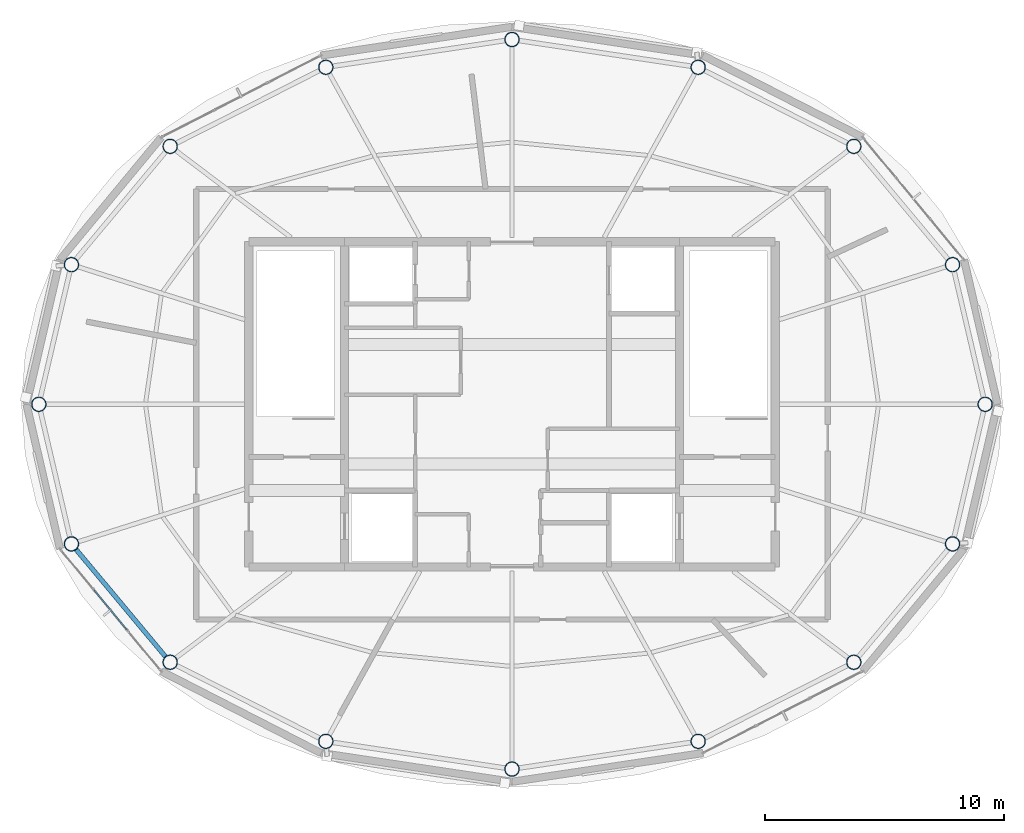
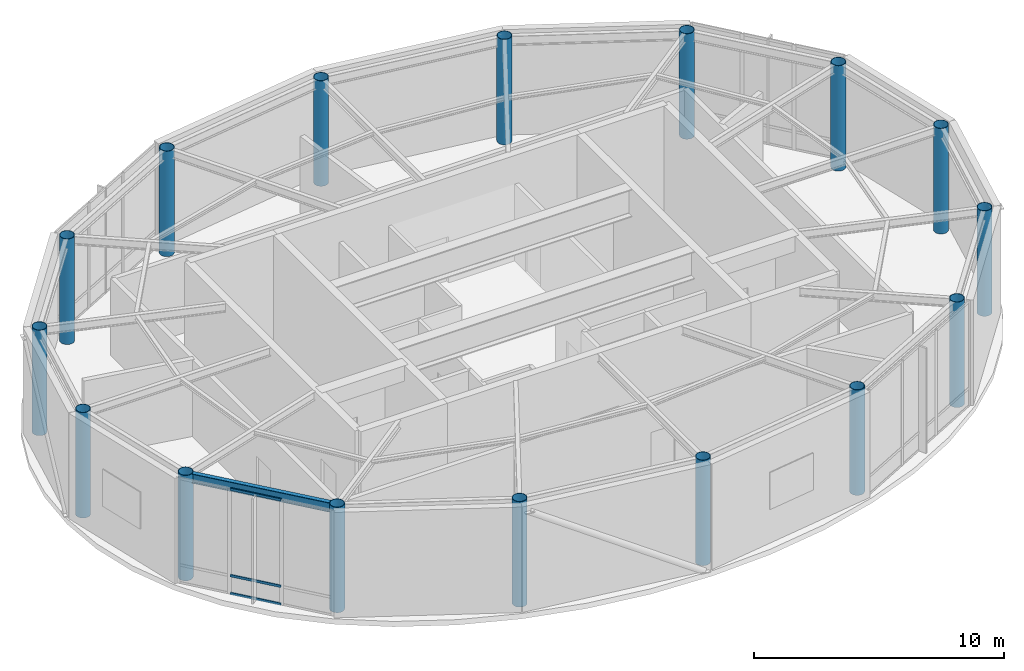
# One storey, part 1 of 14: 16 columns, 3 members, 1 beam, 1 element without a shape of its own.
"""IFC4 building model written with IfcOpenShell, lengths in metres."""

from ifc_helpers import new_model, si_unit, direction, frame, origin, origin_2d, place, context, subcontext, project, spatial, hollow_rectangle, hollow_circle, i_section, extrude, material, layer, layer_set, material_profile, profile_set, type_object, element, aggregate, save


model = new_model("IFC4")

# Units and contexts
model_context = context("Model", 3, precision=1e-05, world=origin(), true_north=direction((0.0, 1.0)))
body_context = subcontext(model_context, "Body", "Model", "MODEL_VIEW")
ifc_project = project(units=[si_unit("LENGTHUNIT", "METRE"), si_unit("AREAUNIT", "SQUARE_METRE"), si_unit("VOLUMEUNIT", "CUBIC_METRE"), si_unit("PLANEANGLEUNIT", "RADIAN"), si_unit("MASSUNIT", "GRAM", prefix="KILO")], contexts=[model_context])

# Site, building, storey
site_placement = place(None, origin())
site = spatial("IfcSite", under=ifc_project, at=site_placement, CompositionType="ELEMENT")
building_placement = place(site_placement, origin())
building = spatial("IfcBuilding", under=site, at=building_placement, Name="Sarneth Arch Tower", CompositionType="ELEMENT")
storey_placement = place(building_placement, frame((0.0, 0.0, 321.60009765625)))
storey = spatial("IfcBuildingStorey", under=building, at=storey_placement, Name="L83", CompositionType="ELEMENT", Elevation=321.60009765625)

# Columns
ifc_material_1 = material(Name="Steel S355", Category="steel")
ifc_material_profile_1 = material_profile(ifc_material_1, hollow_circle(Radius=0.304931640625, WallThickness=0.02001953125, at=origin_2d()), Name="CHS610x20")
ifc_profile_set_1 = profile_set([ifc_material_profile_1], Name="Steel S355")
column_type = type_object("IfcColumnType", Name="COL-DRUM-610", PredefinedType="COLUMN", material=ifc_profile_set_1)
for number, where, z_axis, x_axis, name in (
    (1, (67.7802734375, 42.0, 0.0), (0.0, 0.0, 1.0), (1.0, 0.0, 0.0), "L83 Perimeter mega-column M01"),
    (2, (66.41748046875, 47.8359375, 0.0), (0.0, 0.0, 1.0), (1.0, 0.0, 0.0), "L83 Perimeter mega-column M02"),
    (3, (62.288818359375, 52.783447265625, 0.0), (0.0, 0.0, 1.0), (1.0, 0.0, 0.0), "L83 Perimeter mega-column M03"),
    (4, (55.782958984375, 56.089111328125, 0.0), (0.0, 0.0, 1.0), (1.0, 0.0, 0.0), "L83 Perimeter mega-column M04"),
    (5, (48.0, 57.25, 0.0), (0.0, 0.0, 1.0), (1.0, 0.0, 0.0), "L83 Perimeter mega-column M05"),
    (6, (40.217041015625, 56.089111328125, 0.0), (0.0, 0.0, 1.0), (1.0, 0.0, 0.0), "L83 Perimeter mega-column M06"),
    (7, (33.711181640625, 52.783447265625, 0.0), (0.0, 0.0, 1.0), (1.0, 0.0, 0.0), "L83 Perimeter mega-column M07"),
    (8, (29.58251953125, 47.8359375, 0.0), (0.0, 0.0, 1.0), (1.0, 0.0, 0.0), "L83 Perimeter mega-column M08"),
    (9, (28.2197265625, 42.0, 0.0), (0.0, 0.0, 1.0), (1.0, 0.0, 0.0), "L83 Perimeter mega-column M09"),
    (10, (29.58251953125, 36.1640625, 0.0), (0.0, 0.0, 1.0), (1.0, 0.0, 0.0), "L83 Perimeter mega-column M10"),
    (11, (33.711181640625, 31.216552734375, 0.0), (0.0, 0.0, 1.0), (1.0, 0.0, 0.0), "L83 Perimeter mega-column M11"),
    (12, (40.217041015625, 27.910888671875, 0.0), (0.0, 0.0, 1.0), (1.0, 0.0, 0.0), "L83 Perimeter mega-column M12"),
    (13, (48.0, 26.75, 0.0), (0.0, 0.0, 1.0), (1.0, 0.0, 0.0), "L83 Perimeter mega-column M13"),
    (14, (55.782958984375, 27.910888671875, 0.0), (0.0, 0.0, 1.0), (1.0, 0.0, 0.0), "L83 Perimeter mega-column M14"),
    (15, (62.288818359375, 31.216552734375, 0.0), (0.0, 0.0, 1.0), (1.0, 0.0, 0.0), "L83 Perimeter mega-column M15"),
    (16, (66.41748046875, 36.1640625, 0.0), (0.0, 0.0, 1.0), (1.0, 0.0, 0.0), "L83 Perimeter mega-column M16"),
):
    element("IfcColumn", number, at=place(storey_placement, frame(where, z_axis=z_axis, x_axis=x_axis)), inside=storey, type_object=column_type, Name=name, PredefinedType="COLUMN", context=body_context, shape_type="SweptSolid", body=[
        extrude(hollow_circle(Radius=0.304931640625, WallThickness=0.02001953125, at=origin_2d()), origin(), (0.0, 0.0, 1.0), 5.139892578125),
    ])

# Beam
ifc_material_2 = material(Name="Steel S355", Category="steel")
ifc_material_profile_2 = material_profile(ifc_material_2, i_section(OverallWidth=0.19189453125, OverallDepth=0.462890625, WebThickness=0.010498046875, FlangeThickness=0.017578125, FilletRadius=0.01806640625, at=origin_2d()), Name="W460x89")
ifc_profile_set_2 = profile_set([ifc_material_profile_2], Name="Steel S355")
beam_type = type_object("IfcBeamType", Name="BM-RAD-460B", PredefinedType="BEAM", material=ifc_profile_set_2)
beam_placement = place(storey_placement, frame((29.778076171875, 35.929931640625, 4.908447265625), z_axis=(0.64067411458, -0.767812919211, 0.0), x_axis=(0.767812919211, 0.64067411458, 0.0)))
element("IfcBeam", 17, at=beam_placement, inside=storey, type_object=beam_type, Name="L83 Perimeter spandrel beam 10", PredefinedType="BEAM", context=body_context, shape_type="SweptSolid", body=[
    extrude(i_section(OverallWidth=0.19189453125, OverallDepth=0.462890625, WebThickness=0.010498046875, FlangeThickness=0.017578125, FilletRadius=0.01806640625, at=origin_2d()), origin(), (0.0, 0.0, 1.0), 5.833740234375),
])

# Curtain wall, members
ifc_material_3 = material(Name="Anodised aluminium Type AA25 and solar-control low-e laminated IGU", Category="aluminium")
ifc_layer = layer(ifc_material_3, 0.18994140625)
ifc_layer_set = layer_set([ifc_layer], Name="Anodised aluminium Type AA25 and solar-control low-e laminated IGU")
curtain_wall_type = type_object("IfcCurtainWallType", Name="CW-CROWN-DRUM", PredefinedType="NOTDEFINED", material=ifc_layer_set)
curtain_wall_placement = place(storey_placement, origin())
curtain_wall = element("IfcCurtainWall", 18, at=curtain_wall_placement, inside=storey, type_object=curtain_wall_type, Name="L83 Unitised curtain wall facet 10", PredefinedType="NOTDEFINED")
ifc_material_4 = material(Name="Anodised Aluminium 6063-T6", Category="aluminium")
ifc_material_profile_3 = material_profile(ifc_material_4, hollow_rectangle(XDim=0.06005859375, YDim=0.1201171875, WallThickness=0.00390625, at=origin_2d()), Name="AL-TRAN-120x60x4")
ifc_profile_set_3 = profile_set([ifc_material_profile_3], Name="Anodised Aluminium 6063-T6")
member_type = type_object("IfcMemberType", Name="CW-TRANSOM", PredefinedType="USERDEFINED", material=ifc_profile_set_3)
member_1_placement = place(storey_placement, frame((30.533935546875, 34.231689453125, 0.02978515625), z_axis=(0.637528294743, -0.770426942287, 0.0), x_axis=(0.770426942287, 0.637528294743, 0.0)))
member_1 = element("IfcMember", 19, at=member_1_placement, type_object=member_type, Name="CW-SYS-7 transom 2.1", ObjectType="TRANSOM", PredefinedType="USERDEFINED", context=body_context, shape_type="SweptSolid", body=[
    extrude(hollow_rectangle(XDim=0.06005859375, YDim=0.1201171875, WallThickness=0.00390625, at=origin_2d()), origin(), (0.0, 0.0, 1.0), 2.15478515625),
])
member_2_placement = place(storey_placement, frame((30.533935546875, 34.231689453125, 0.89990234375), z_axis=(0.637528294743, -0.770426942287, 0.0), x_axis=(0.770426942287, 0.637528294743, 0.0)))
member_2 = element("IfcMember", 20, at=member_2_placement, type_object=member_type, Name="CW-SYS-7 transom 2.2", ObjectType="TRANSOM", PredefinedType="USERDEFINED", context=body_context, shape_type="SweptSolid", body=[
    extrude(hollow_rectangle(XDim=0.06005859375, YDim=0.1201171875, WallThickness=0.00390625, at=origin_2d()), origin(), (0.0, 0.0, 1.0), 2.15478515625),
])
member_3_placement = place(storey_placement, frame((30.533935546875, 34.231689453125, 5.10986328125), z_axis=(0.637528294743, -0.770426942287, 0.0), x_axis=(0.770426942287, 0.637528294743, 0.0)))
member_3 = element("IfcMember", 21, at=member_3_placement, type_object=member_type, Name="CW-SYS-7 transom 2.3", ObjectType="TRANSOM", PredefinedType="USERDEFINED", context=body_context, shape_type="SweptSolid", body=[
    extrude(hollow_rectangle(XDim=0.06005859375, YDim=0.1201171875, WallThickness=0.00390625, at=origin_2d()), origin(), (0.0, 0.0, 1.0), 2.15478515625),
])
aggregate(curtain_wall, [member_1, member_2, member_3])

save(model, "model.ifc")
